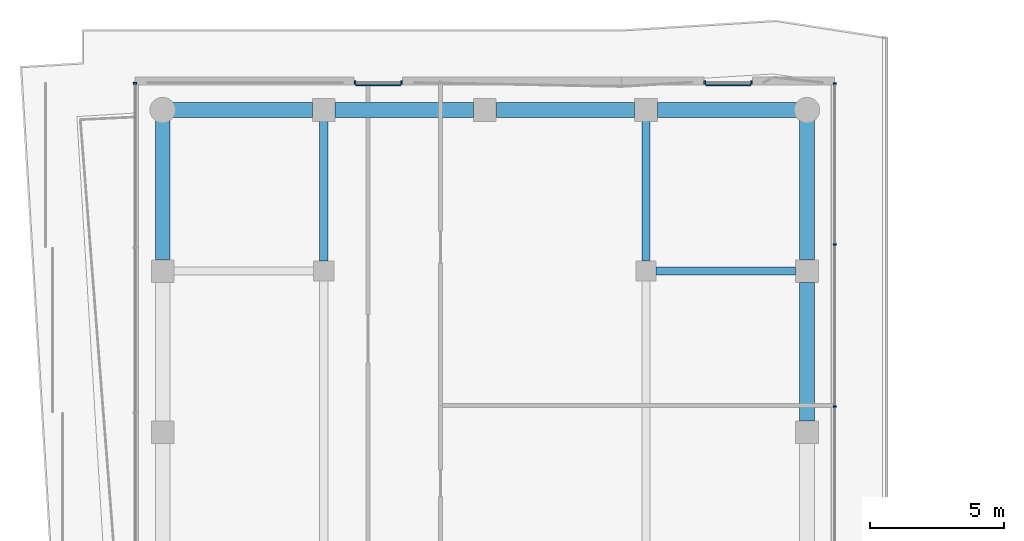
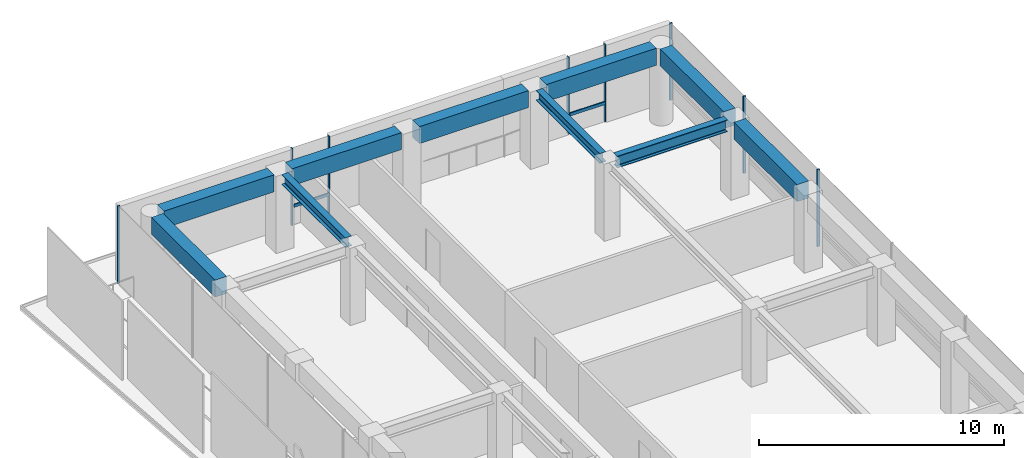
# One storey, part 15 of 21: 10 beams, 10 members, 4 elements without a shape of their own.
"""IFC4 building model written with IfcOpenShell, lengths in metres."""

from ifc_helpers import new_model, si_unit, direction, frame, origin, origin_2d, place, context, subcontext, project, spatial, rectangle, i_section, extrude, material, layer, layer_set, material_profile, profile_set, type_object, element, aggregate, save


model = new_model("IFC4")

# Units and contexts
model_context = context("Model", 3, precision=1e-05, world=origin(), true_north=direction((0.0, 1.0)))
body_context = subcontext(model_context, "Body", "Model", "MODEL_VIEW")
ifc_project = project(units=[si_unit("LENGTHUNIT", "METRE"), si_unit("AREAUNIT", "SQUARE_METRE"), si_unit("VOLUMEUNIT", "CUBIC_METRE"), si_unit("PLANEANGLEUNIT", "RADIAN"), si_unit("MASSUNIT", "GRAM", prefix="KILO")], contexts=[model_context])

# Site, building, storey
site_placement = place(None, origin())
site = spatial("IfcSite", under=ifc_project, at=site_placement, CompositionType="ELEMENT")
building_placement = place(site_placement, origin())
building = spatial("IfcBuilding", under=site, at=building_placement, Name="Welwitschia Terrace Campus", CompositionType="ELEMENT")
storey_placement = place(building_placement, frame((0.0, 0.0, 184.39990234375)))
storey = spatial("IfcBuildingStorey", under=building, at=storey_placement, Name="L41", CompositionType="ELEMENT", Elevation=184.39990234375)

# Beams
ifc_material_1 = material(Name="Steel S355", Category="steel")
ifc_material_profile_1 = material_profile(ifc_material_1, i_section(OverallWidth=0.300048828125, OverallDepth=0.489990234375, WebThickness=0.011962890625, FlangeThickness=0.02294921875, FilletRadius=0.027099609375, at=origin_2d()))
ifc_profile_set_1 = profile_set([ifc_material_profile_1], Name="Steel S355")
beam_type_1 = type_object("IfcBeamType", Name="Interior girder HE 500 A", PredefinedType="BEAM", material=ifc_profile_set_1)
for number, where, z_axis, x_axis, name in (
    (1, (6.0, 56.37548828125, 3.60498046875), (0.0, 1.0, 0.0), (-1.0, 0.0, 0.0), "Girder GB4"),
    (2, (18.0, 56.37548828125, 3.60498046875), (0.0, 1.0, 0.0), (-1.0, 0.0, 0.0), "Girder GB4"),
):
    element("IfcBeam", number, at=place(storey_placement, frame(where, z_axis=z_axis, x_axis=x_axis)), inside=storey, type_object=beam_type_1, Name=name, PredefinedType="BEAM", context=body_context, shape_type="SweptSolid", body=[
        extrude(i_section(OverallWidth=0.300048828125, OverallDepth=0.489990234375, WebThickness=0.011962890625, FlangeThickness=0.02294921875, FilletRadius=0.027099609375, at=origin_2d()), origin(), (0.0, 0.0, 1.0), 5.208984375),
    ])

# Curtain wall, members
ifc_material_2 = material(Name="Bronze anodised aluminium", Category="aluminium")
ifc_layer = layer(ifc_material_2, 0.1201171875)
ifc_layer_set = layer_set([ifc_layer], Name="Bronze anodised aluminium")
curtain_wall_type = type_object("IfcCurtainWallType", Name="Curtain wall CW2 tower 6000", PredefinedType="NOTDEFINED", material=ifc_layer_set)
curtain_wall_1_placement = place(storey_placement, origin())
curtain_wall_1 = element("IfcCurtainWall", 3, at=curtain_wall_1_placement, inside=storey, type_object=curtain_wall_type, Name="CW L41.7.0", PredefinedType="NOTDEFINED")
ifc_material_3 = material(Name="Bronze anodised aluminium", Category="aluminium")
ifc_material_profile_2 = material_profile(ifc_material_3, rectangle(XDim=0.1201171875, YDim=0.06005859375, at=origin_2d()))
ifc_profile_set_2 = profile_set([ifc_material_profile_2], Name="Bronze anodised aluminium")
member_type_1 = type_object("IfcMemberType", Name="Mullion 60x120", PredefinedType="MULLION", material=ifc_profile_set_2)
member_1_placement = place(storey_placement, frame((25.030029296875, 50.96142578125, 0.0), z_axis=(0.0, 0.0, 1.0), x_axis=(-1.0, 0.0, 0.0)))
member_1 = element("IfcMember", 4, at=member_1_placement, type_object=member_type_1, Name="Mullion L41.7.0.4", PredefinedType="MULLION", context=body_context, shape_type="SweptSolid", body=[
    extrude(rectangle(XDim=0.1201171875, YDim=0.06005859375, at=origin_2d()), origin(), (0.0, 0.0, 1.0), 3.85009765625),
])
member_2_placement = place(storey_placement, frame((25.030029296875, 56.99365234375, 0.0), z_axis=(0.0, 0.0, 1.0), x_axis=(-1.0, 0.0, 0.0)))
member_2 = element("IfcMember", 5, at=member_2_placement, type_object=member_type_1, Name="Mullion L41.7.0.5", PredefinedType="MULLION", context=body_context, shape_type="SweptSolid", body=[
    extrude(rectangle(XDim=0.1201171875, YDim=0.06005859375, at=origin_2d()), origin(), (0.0, 0.0, 1.0), 3.85009765625),
])
member_3_placement = place(storey_placement, frame((25.030029296875, 62.995849609375, 0.0), z_axis=(0.0, 0.0, 1.0), x_axis=(-1.0, 0.0, 0.0)))
member_3 = element("IfcMember", 6, at=member_3_placement, type_object=member_type_1, Name="Mullion L41.7.0.6", PredefinedType="MULLION", context=body_context, shape_type="SweptSolid", body=[
    extrude(rectangle(XDim=0.1201171875, YDim=0.06005859375, at=origin_2d()), origin(), (0.0, 0.0, 1.0), 3.85009765625),
])
aggregate(curtain_wall_1, [member_1, member_2, member_3])

curtain_wall_2_placement = place(storey_placement, origin())
curtain_wall_2 = element("IfcCurtainWall", 7, at=curtain_wall_2_placement, inside=storey, type_object=curtain_wall_type, Name="CW L41.8.S0", PredefinedType="NOTDEFINED")
member_4_placement = place(storey_placement, frame((21.933349609375, 63.02734375, 0.0), z_axis=(0.0, 0.0, 1.0), x_axis=(-0.000538494419, -0.999999855012, 0.0)))
member_4 = element("IfcMember", 8, at=member_4_placement, type_object=member_type_1, Name="Mullion L41.8.S0.0", PredefinedType="MULLION", context=body_context, shape_type="SweptSolid", body=[
    extrude(rectangle(XDim=0.1201171875, YDim=0.06005859375, at=origin_2d()), origin(), (0.0, 0.0, 1.0), 3.85009765625),
])
member_5_placement = place(storey_placement, frame((20.193115234375, 63.0283203125, 0.0), z_axis=(0.0, 0.0, 1.0), x_axis=(-0.000538494419, -0.999999855012, 0.0)))
member_5 = element("IfcMember", 9, at=member_5_placement, type_object=member_type_1, Name="Mullion L41.8.S0.1", PredefinedType="MULLION", context=body_context, shape_type="SweptSolid", body=[
    extrude(rectangle(XDim=0.1201171875, YDim=0.06005859375, at=origin_2d()), origin(), (0.0, 0.0, 1.0), 3.85009765625),
])

curtain_wall_3_placement = place(storey_placement, origin())
curtain_wall_3 = element("IfcCurtainWall", 10, at=curtain_wall_3_placement, inside=storey, type_object=curtain_wall_type, Name="CW L41.9.S0", PredefinedType="NOTDEFINED")
member_6_placement = place(storey_placement, frame((8.9033203125, 63.030029296875, 0.0), z_axis=(0.0, 0.0, 1.0), x_axis=(0.0, -1.0, 0.0)))
member_6 = element("IfcMember", 11, at=member_6_placement, type_object=member_type_1, Name="Mullion L41.9.S0.0", PredefinedType="MULLION", context=body_context, shape_type="SweptSolid", body=[
    extrude(rectangle(XDim=0.1201171875, YDim=0.06005859375, at=origin_2d()), origin(), (0.0, 0.0, 1.0), 3.85009765625),
])
member_7_placement = place(storey_placement, frame((7.163330078125, 63.030029296875, 0.0), z_axis=(0.0, 0.0, 1.0), x_axis=(0.0, -1.0, 0.0)))
member_7 = element("IfcMember", 12, at=member_7_placement, type_object=member_type_1, Name="Mullion L41.9.S0.1", PredefinedType="MULLION", context=body_context, shape_type="SweptSolid", body=[
    extrude(rectangle(XDim=0.1201171875, YDim=0.06005859375, at=origin_2d()), origin(), (0.0, 0.0, 1.0), 3.85009765625),
])

# Curtain wall, member
curtain_wall_4_placement = place(storey_placement, origin())
curtain_wall_4 = element("IfcCurtainWall", 13, at=curtain_wall_4_placement, inside=storey, type_object=curtain_wall_type, Name="CW L41.10.0", PredefinedType="NOTDEFINED")
member_8_placement = place(storey_placement, frame((-1.030029296875, 63.0, 0.0), z_axis=(0.0, 0.0, 1.0), x_axis=(1.0, 0.0, 0.0)))
member_8 = element("IfcMember", 14, at=member_8_placement, type_object=member_type_1, Name="Mullion L41.10.0.0", PredefinedType="MULLION", context=body_context, shape_type="SweptSolid", body=[
    extrude(rectangle(XDim=0.1201171875, YDim=0.06005859375, at=origin_2d()), origin(), (0.0, 0.0, 1.0), 3.85009765625),
])
aggregate(curtain_wall_4, [member_8])

# Beams
ifc_material_4 = material(Name="Steel S355", Category="steel")
ifc_material_profile_3 = material_profile(ifc_material_4, i_section(OverallWidth=0.300048828125, OverallDepth=0.590087890625, WebThickness=0.012939453125, FlangeThickness=0.02490234375, FilletRadius=0.027099609375, at=origin_2d()))
ifc_profile_set_3 = profile_set([ifc_material_profile_3], Name="Steel S355")
beam_type_2 = type_object("IfcBeamType", Name="Primary beam HE 600 A", PredefinedType="BEAM", material=ifc_profile_set_3)
beam_1_placement = place(storey_placement, frame((23.574462890625, 56.0, 3.55517578125), z_axis=(-1.0, 0.0, 0.0), x_axis=(0.0, -1.0, 0.0)))
element("IfcBeam", 15, at=beam_1_placement, inside=storey, type_object=beam_type_2, Name="Primary beam PB4", PredefinedType="BEAM", context=body_context, shape_type="SweptSolid", body=[
    extrude(i_section(OverallWidth=0.300048828125, OverallDepth=0.590087890625, WebThickness=0.012939453125, FlangeThickness=0.02490234375, FilletRadius=0.027099609375, at=origin_2d()), origin(), (0.0, 0.0, 1.0), 5.198974609375),
])
ifc_material_5 = material(Name="Concrete C50/60", Category="concrete")
ifc_material_profile_4 = material_profile(ifc_material_5, rectangle(XDim=0.550048828125, YDim=0.85009765625, at=origin_2d()))
ifc_profile_set_4 = profile_set([ifc_material_profile_4], Name="Concrete C50/60")
beam_type_3 = type_object("IfcBeamType", Name="Ring spandrel 550x850", PredefinedType="SPANDREL", material=ifc_profile_set_4)
beam_2_placement = place(storey_placement, frame((24.0, 50.425537109375, 3.425048828125), z_axis=(0.0, 1.0, 0.0), x_axis=(-1.0, 0.0, 0.0)))
element("IfcBeam", 16, at=beam_2_placement, inside=storey, type_object=beam_type_3, Name="Spandrel SP3", PredefinedType="SPANDREL", context=body_context, shape_type="SweptSolid", body=[
    extrude(rectangle(XDim=0.550048828125, YDim=0.85009765625, at=origin_2d()), origin(), (0.0, 0.0, 1.0), 5.14892578125),
])
for number, where, z_axis, x_axis, name in (
    (17, (24.0, 56.425537109375, 3.425048828125), (0.0, 1.0, 0.0), (-1.0, 0.0, 0.0), "Spandrel SP3"),
    (18, (23.612060546875, 62.0, 3.425048828125), (-1.0, 0.0, 0.0), (0.0, -1.0, 0.0), "Spandrel SP3"),
):
    element("IfcBeam", number, at=place(storey_placement, frame(where, z_axis=z_axis, x_axis=x_axis)), inside=storey, type_object=beam_type_3, Name=name, PredefinedType="SPANDREL", context=body_context, shape_type="SweptSolid", body=[
        extrude(rectangle(XDim=0.550048828125, YDim=0.85009765625, at=origin_2d()), origin(), (0.0, 0.0, 1.0), 5.1865234375),
    ])
for number, where, z_axis, x_axis, name in (
    (19, (17.574462890625, 62.0, 3.425048828125), (-1.0, 0.0, 0.0), (0.0, -1.0, 0.0), "Spandrel SP3"),
    (20, (11.574462890625, 62.0, 3.425048828125), (-1.0, 0.0, 0.0), (0.0, -1.0, 0.0), "Spandrel SP3"),
):
    element("IfcBeam", number, at=place(storey_placement, frame(where, z_axis=z_axis, x_axis=x_axis)), inside=storey, type_object=beam_type_3, Name=name, PredefinedType="SPANDREL", context=body_context, shape_type="SweptSolid", body=[
        extrude(rectangle(XDim=0.550048828125, YDim=0.85009765625, at=origin_2d()), origin(), (0.0, 0.0, 1.0), 5.14892578125),
    ])
for number, where, z_axis, x_axis, name in (
    (21, (5.574462890625, 62.0, 3.425048828125), (-1.0, 0.0, 0.0), (0.0, -1.0, 0.0), "Spandrel SP3"),
    (22, (0.0, 61.612060546875, 3.425048828125), (0.0, -1.0, 0.0), (1.0, 0.0, 0.0), "Spandrel SP3"),
):
    element("IfcBeam", number, at=place(storey_placement, frame(where, z_axis=z_axis, x_axis=x_axis)), inside=storey, type_object=beam_type_3, Name=name, PredefinedType="SPANDREL", context=body_context, shape_type="SweptSolid", body=[
        extrude(rectangle(XDim=0.550048828125, YDim=0.85009765625, at=origin_2d()), origin(), (0.0, 0.0, 1.0), 5.1865234375),
    ])

# Member
ifc_material_6 = material(Name="Bronze anodised aluminium", Category="aluminium")
ifc_material_profile_5 = material_profile(ifc_material_6, rectangle(XDim=0.06005859375, YDim=0.14990234375, at=origin_2d()))
ifc_profile_set_5 = profile_set([ifc_material_profile_5], Name="Bronze anodised aluminium")
member_type_2 = type_object("IfcMemberType", Name="Transom 60x150", PredefinedType="USERDEFINED", material=ifc_profile_set_5)
member_9_placement = place(storey_placement, frame((21.903076171875, 62.9375, 1.0), z_axis=(-0.999999904959, 0.000435983101, 0.0), x_axis=(-0.000435983101, -0.999999904959, 0.0)))
member_9 = element("IfcMember", 23, at=member_9_placement, type_object=member_type_2, Name="Transom L41.8.S0", ObjectType="TRANSOM", PredefinedType="USERDEFINED", context=body_context, shape_type="SweptSolid", body=[
    extrude(rectangle(XDim=0.06005859375, YDim=0.14990234375, at=origin_2d()), origin(), (0.0, 0.0, 1.0), 1.679931640625),
])

aggregate(curtain_wall_2, [member_4, member_5, member_9])

member_10_placement = place(storey_placement, frame((8.873291015625, 62.93994140625, 1.0), z_axis=(-1.0, 0.0, 0.0), x_axis=(0.0, -1.0, 0.0)))
member_10 = element("IfcMember", 24, at=member_10_placement, type_object=member_type_2, Name="Transom L41.9.S0", ObjectType="TRANSOM", PredefinedType="USERDEFINED", context=body_context, shape_type="SweptSolid", body=[
    extrude(rectangle(XDim=0.06005859375, YDim=0.14990234375, at=origin_2d()), origin(), (0.0, 0.0, 1.0), 1.68017578125),
])

aggregate(curtain_wall_3, [member_6, member_7, member_10])

save(model, "model.ifc")
